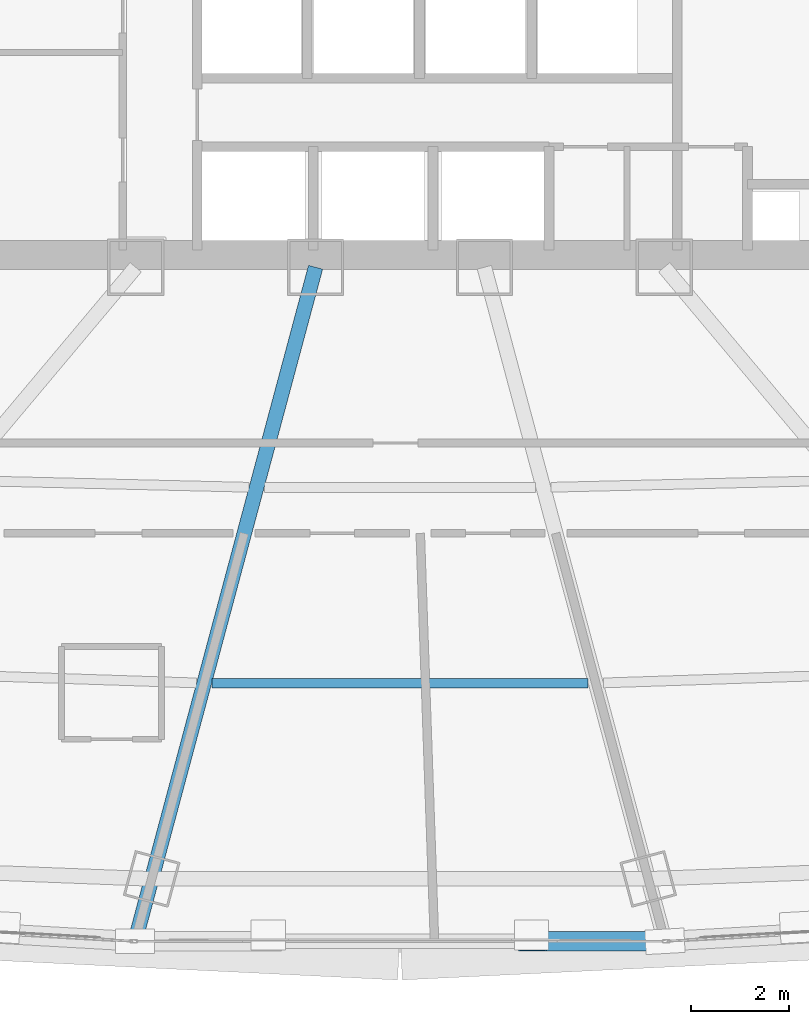
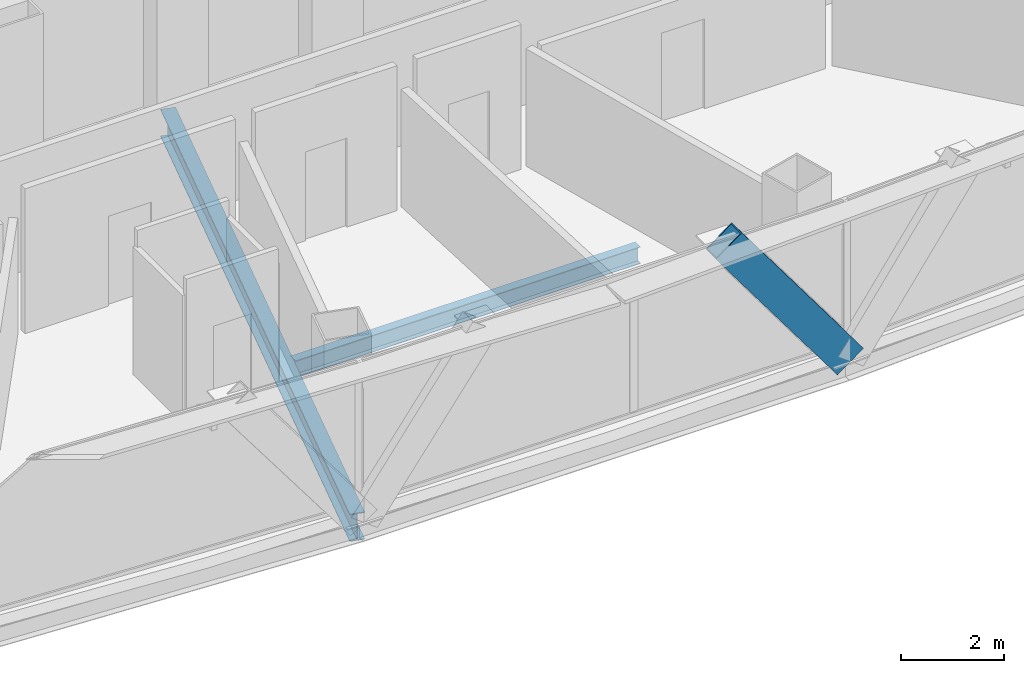
# One storey, part 11 of 40: 2 beams, 1 member.
"""IFC4 building model written with IfcOpenShell, lengths in metres."""

from ifc_helpers import new_model, si_unit, direction, frame, origin, origin_2d, place, context, subcontext, project, spatial, hollow_rectangle, i_section, extrude, source, transform, mapped, material, material_profile, profile_set, type_object, element, save


model = new_model("IFC4")

# Units and contexts
model_context = context("Model", 3, precision=1e-05, world=origin(), true_north=direction((0.0, 1.0)))
body_context = subcontext(model_context, "Body", "Model", "MODEL_VIEW")
ifc_project = project(units=[si_unit("LENGTHUNIT", "METRE"), si_unit("AREAUNIT", "SQUARE_METRE"), si_unit("VOLUMEUNIT", "CUBIC_METRE"), si_unit("PLANEANGLEUNIT", "RADIAN"), si_unit("MASSUNIT", "GRAM", prefix="KILO"), si_unit("THERMODYNAMICTEMPERATUREUNIT", "KELVIN"), si_unit("POWERUNIT", "WATT")], contexts=[model_context])

# Site, building, storey
site_placement = place(None, origin())
site = spatial("IfcSite", under=ifc_project, at=site_placement, CompositionType="ELEMENT")
building_placement = place(site_placement, origin())
building = spatial("IfcBuilding", under=site, at=building_placement, Name="Yunzhuo Pagoda Commons", CompositionType="ELEMENT")
storey_placement = place(building_placement, frame((0.0, 0.0, 159.27001953125)))
storey = spatial("IfcBuildingStorey", under=building, at=storey_placement, Name="L40", CompositionType="ELEMENT", Elevation=159.27001953125)

# Beams
ifc_material = material(Name="Structural steel Q355B", Category="steel")
ifc_material_profile_1 = material_profile(ifc_material, i_section(OverallWidth=0.199951171875, OverallDepth=0.39990234375, WebThickness=0.008056640625, FlangeThickness=0.012939453125, at=origin_2d()), Name="Structural steel Q355B")
ifc_profile_set_1 = profile_set([ifc_material_profile_1], Name="Structural steel Q355B")
beam_type_1 = type_object("IfcBeamType", Name="B-JS1 Joist HN 400x200x8x13", PredefinedType="JOIST", material=ifc_profile_set_1)
shared_shape_1 = source(origin(), body_context, "Body", "SweptSolid", [
    extrude(i_section(OverallWidth=0.199951171875, OverallDepth=0.39990234375, WebThickness=0.008056640625, FlangeThickness=0.012939453125, at=origin_2d()), origin(), (0.0, 0.0, 1.0), 7.7041015625),
])
beam_1_placement = place(storey_placement, frame((44.14794921875, 18.730712890625, -0.4599609375), z_axis=(1.0, 0.0, 0.0), x_axis=(0.0, 1.0, 0.0)))
element("IfcBeam", 1, at=beam_1_placement, inside=storey, type_object=beam_type_1, Name="L40 composite ring joist 2.2", PredefinedType="JOIST", context=body_context, shape_type="MappedRepresentation", body=[
    mapped(shared_shape_1, transform((0.0, 0.0, 0.0), scale=1.0)),
])
ifc_material_profile_2 = material_profile(ifc_material, i_section(OverallWidth=0.300048828125, OverallDepth=0.64990234375, WebThickness=0.012939453125, FlangeThickness=0.02197265625, at=origin_2d()), Name="Structural steel Q355B")
ifc_profile_set_2 = profile_set([ifc_material_profile_2], Name="Structural steel Q355B")
beam_type_2 = type_object("IfcBeamType", Name="B-RG2 Beam HN 650x300x13x22", PredefinedType="BEAM", material=ifc_profile_set_2)
shared_shape_2 = source(origin(), body_context, "Body", "SweptSolid", [
    extrude(i_section(OverallWidth=0.300048828125, OverallDepth=0.64990234375, WebThickness=0.012939453125, FlangeThickness=0.02197265625, at=origin_2d()), origin(), (0.0, 0.0, 1.0), 14.137939453125),
])
beam_2_placement = place(storey_placement, frame((42.612548828125, 13.59375, -0.5849609375), z_axis=(0.258835059524, 0.965921535095, 0.0), x_axis=(-0.965921535095, 0.258835059524, 0.0)))
element("IfcBeam", 2, at=beam_2_placement, inside=storey, type_object=beam_type_2, Name="L40 radial floor girder F1C2", PredefinedType="BEAM", context=body_context, shape_type="MappedRepresentation", body=[
    mapped(shared_shape_2, transform((0.0, 0.0, 0.0), scale=1.0)),
])

# Member
ifc_material_profile_3 = material_profile(ifc_material, hollow_rectangle(XDim=0.39990234375, YDim=0.719970703125, WallThickness=0.02392578125, at=origin_2d()), Name="Structural steel Q355B")
ifc_profile_set_3 = profile_set([ifc_material_profile_3], Name="Structural steel Q355B")
member_type = type_object("IfcMemberType", Name="M-DL2 Brace BOX 720x400x24", PredefinedType="BRACE", material=ifc_profile_set_3)
shared_shape_3 = source(origin(), body_context, "Body", "SweptSolid", [
    extrude(hollow_rectangle(XDim=0.39990234375, YDim=0.719970703125, WallThickness=0.02392578125, at=origin_2d()), origin(), (0.0, 0.0, 1.0), 4.572265625),
])
member_placement = place(storey_placement, frame((53.427490234375, 13.44384765625, -0.260009765625), z_axis=(-0.593495886815, 0.0, 0.804837022219), x_axis=(0.0, -1.0, 0.0)))
element("IfcMember", 3, at=member_placement, inside=storey, type_object=member_type, Name="L40 facade diamond brace F1.2R", PredefinedType="BRACE", context=body_context, shape_type="MappedRepresentation", body=[
    mapped(shared_shape_3, transform((0.0, 0.0, 0.0), scale=1.0)),
])

save(model, "model.ifc")
